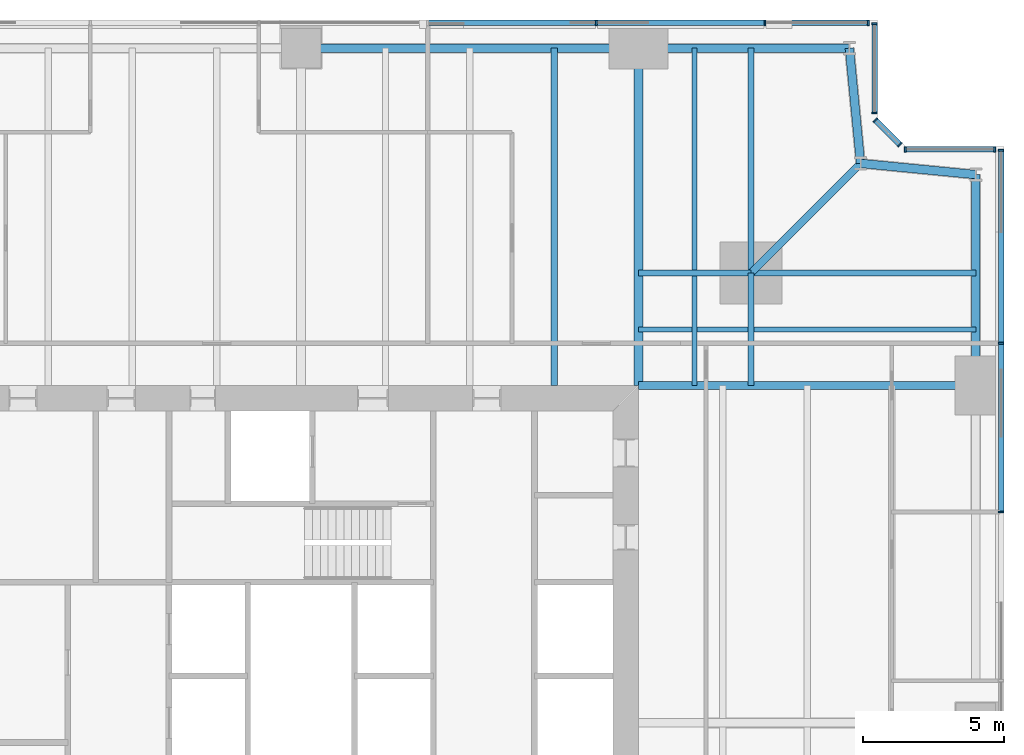
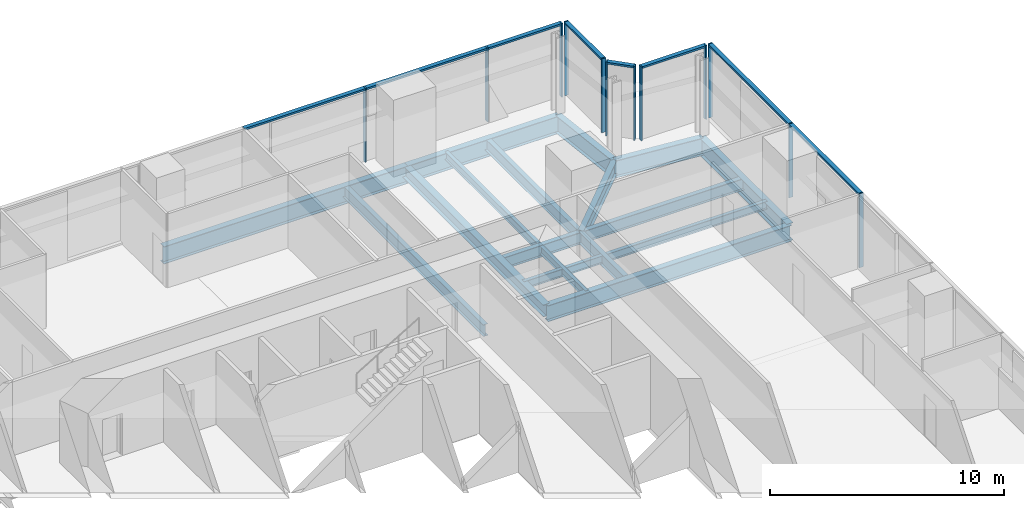
# One storey, part 7 of 14: 20 members, 18 beams, 5 elements without a shape of their own.
"""IFC4 building model written with IfcOpenShell, lengths in metres."""

from ifc_helpers import new_model, si_unit, direction, frame, origin, origin_2d, place, context, subcontext, project, spatial, rectangle, i_section, extrude, material, material_profile, profile_set, type_object, element, aggregate, save


model = new_model("IFC4")

# Units and contexts
model_context = context("Model", 3, precision=1e-05, world=origin(), true_north=direction((0.0, 1.0)))
body_context = subcontext(model_context, "Body", "Model", "MODEL_VIEW")
ifc_project = project(units=[si_unit("LENGTHUNIT", "METRE"), si_unit("AREAUNIT", "SQUARE_METRE"), si_unit("VOLUMEUNIT", "CUBIC_METRE"), si_unit("PLANEANGLEUNIT", "RADIAN"), si_unit("MASSUNIT", "GRAM", prefix="KILO")], contexts=[model_context])

# Site, building, storey
site_placement = place(None, origin())
site = spatial("IfcSite", under=ifc_project, at=site_placement, CompositionType="ELEMENT")
building_placement = place(site_placement, origin())
building = spatial("IfcBuilding", under=site, at=building_placement, Name="Fenwick Lantern Interchange", CompositionType="ELEMENT")
storey_placement = place(building_placement, frame((0.0, 0.0, 122.39990234375)))
storey = spatial("IfcBuildingStorey", under=building, at=storey_placement, Name="L28", CompositionType="ELEMENT", Elevation=122.39990234375)

# Beams
ifc_material_1 = material(Name="Steel ASTM A992 Grade 50", Category="steel")
ifc_material_profile_1 = material_profile(ifc_material_1, i_section(OverallWidth=0.3046875, OverallDepth=0.911865234375, WebThickness=0.015869140625, FlangeThickness=0.02392578125, at=origin_2d()), Name="W36X150")
ifc_profile_set_1 = profile_set([ifc_material_profile_1], Name="Steel ASTM A992 Grade 50")
beam_type_1 = type_object("IfcBeamType", Name="EDGE BEAM W36X150", PredefinedType="SPANDREL", material=ifc_profile_set_1)
beam_1_placement = place(storey_placement, frame((49.0, 37.0, -0.605712890625), z_axis=(0.0, 1.0, 0.0), x_axis=(-1.0, 0.0, 0.0)))
element("IfcBeam", 1, at=beam_1_placement, inside=storey, type_object=beam_type_1, Name="L28/FR/E/EB4", PredefinedType="SPANDREL", context=body_context, shape_type="SweptSolid", body=[
    extrude(i_section(OverallWidth=0.3046875, OverallDepth=0.911865234375, WebThickness=0.015869140625, FlangeThickness=0.02392578125, at=origin_2d()), origin(), (0.0, 0.0, 1.0), 7.5),
])
for number, where, z_axis, x_axis, name in (
    (2, (49.0, 44.5, -0.605712890625), (-0.995277148028, 0.097074191287, 0.0), (-0.097074191287, -0.995277148028, 0.0), "L28/FR/E/EBR1"),
    (3, (44.89990234375, 44.89990234375, -0.605712890625), (-0.097074191287, 0.995277148028, 0.0), (-0.995277148028, -0.097074191287, 0.0), "L28/FR/E/EBR2"),
):
    element("IfcBeam", number, at=place(storey_placement, frame(where, z_axis=z_axis, x_axis=x_axis)), inside=storey, type_object=beam_type_1, Name=name, PredefinedType="SPANDREL", context=body_context, shape_type="SweptSolid", body=[
        extrude(i_section(OverallWidth=0.3046875, OverallDepth=0.911865234375, WebThickness=0.015869140625, FlangeThickness=0.02392578125, at=origin_2d()), origin(), (0.0, 0.0, 1.0), 4.11962890625),
    ])
beam_2_placement = place(storey_placement, frame((44.5, 49.0, -0.605712890625), z_axis=(-1.0, 0.0, 0.0), x_axis=(0.0, -1.0, 0.0)))
element("IfcBeam", 4, at=beam_2_placement, inside=storey, type_object=beam_type_1, Name="L28/FR/N/EB1", PredefinedType="SPANDREL", context=body_context, shape_type="SweptSolid", body=[
    extrude(i_section(OverallWidth=0.3046875, OverallDepth=0.911865234375, WebThickness=0.015869140625, FlangeThickness=0.02392578125, at=origin_2d()), origin(), (0.0, 0.0, 1.0), 7.5),
])
beam_3_placement = place(storey_placement, frame((37.0, 49.0, -0.605712890625), z_axis=(-1.0, 0.0, 0.0), x_axis=(0.0, -1.0, 0.0)))
element("IfcBeam", 5, at=beam_3_placement, inside=storey, type_object=beam_type_1, Name="L28/FR/N/EB2", PredefinedType="SPANDREL", context=body_context, shape_type="SweptSolid", body=[
    extrude(i_section(OverallWidth=0.3046875, OverallDepth=0.911865234375, WebThickness=0.015869140625, FlangeThickness=0.02392578125, at=origin_2d()), origin(), (0.0, 0.0, 1.0), 12.0),
])
ifc_material_profile_2 = material_profile(ifc_material_1, i_section(OverallWidth=0.22900390625, OverallDepth=0.612060546875, WebThickness=0.011962890625, FlangeThickness=0.01953125, at=origin_2d()), Name="W24X84")
ifc_profile_set_2 = profile_set([ifc_material_profile_2], Name="Steel ASTM A992 Grade 50")
beam_type_2 = type_object("IfcBeamType", Name="FLOOR BEAM W24X84", PredefinedType="BEAM", material=ifc_profile_set_2)
beam_4_placement = place(storey_placement, frame((34.0, 49.0, -0.4560546875), z_axis=(0.0, -1.0, 0.0), x_axis=(1.0, 0.0, 0.0)))
element("IfcBeam", 6, at=beam_4_placement, inside=storey, type_object=beam_type_2, Name="L28/FR/N/R02", PredefinedType="BEAM", context=body_context, shape_type="SweptSolid", body=[
    extrude(i_section(OverallWidth=0.22900390625, OverallDepth=0.612060546875, WebThickness=0.011962890625, FlangeThickness=0.01953125, at=origin_2d()), origin(), (0.0, 0.0, 1.0), 12.0),
])
ifc_material_profile_3 = material_profile(ifc_material_1, i_section(OverallWidth=0.177734375, OverallDepth=0.406494140625, WebThickness=0.0078125, FlangeThickness=0.012939453125, at=origin_2d()), Name="W16X40")
ifc_profile_set_3 = profile_set([ifc_material_profile_3], Name="Steel ASTM A992 Grade 50")
beam_type_3 = type_object("IfcBeamType", Name="INFILL BEAM W16X40", PredefinedType="JOIST", material=ifc_profile_set_3)
beam_5_placement = place(storey_placement, frame((39.0, 49.0, -0.35302734375), z_axis=(0.0, -1.0, 0.0), x_axis=(1.0, 0.0, 0.0)))
element("IfcBeam", 7, at=beam_5_placement, inside=storey, type_object=beam_type_3, Name="L28/FR/N/J1", PredefinedType="JOIST", context=body_context, shape_type="SweptSolid", body=[
    extrude(i_section(OverallWidth=0.177734375, OverallDepth=0.406494140625, WebThickness=0.0078125, FlangeThickness=0.012939453125, at=origin_2d()), origin(), (0.0, 0.0, 1.0), 7.885498046875),
])
beam_6_placement = place(storey_placement, frame((39.0, 40.885498046875, -0.35302734375), z_axis=(0.0, -1.0, 0.0), x_axis=(1.0, 0.0, 0.0)))
element("IfcBeam", 8, at=beam_6_placement, inside=storey, type_object=beam_type_3, Name="L28/FR/N/J2", PredefinedType="JOIST", context=body_context, shape_type="SweptSolid", body=[
    extrude(i_section(OverallWidth=0.177734375, OverallDepth=0.406494140625, WebThickness=0.0078125, FlangeThickness=0.012939453125, at=origin_2d()), origin(), (0.0, 0.0, 1.0), 3.885498046875),
])
beam_7_placement = place(storey_placement, frame((49.0, 39.0, -0.35302734375), z_axis=(-1.0, 0.0, 0.0), x_axis=(0.0, -1.0, 0.0)))
element("IfcBeam", 9, at=beam_7_placement, inside=storey, type_object=beam_type_3, Name="L28/FR/N/J3", PredefinedType="JOIST", context=body_context, shape_type="SweptSolid", body=[
    extrude(i_section(OverallWidth=0.177734375, OverallDepth=0.406494140625, WebThickness=0.0078125, FlangeThickness=0.012939453125, at=origin_2d()), origin(), (0.0, 0.0, 1.0), 7.885498046875),
])
beam_8_placement = place(storey_placement, frame((40.885498046875, 39.0, -0.35302734375), z_axis=(-1.0, 0.0, 0.0), x_axis=(0.0, -1.0, 0.0)))
element("IfcBeam", 10, at=beam_8_placement, inside=storey, type_object=beam_type_3, Name="L28/FR/N/J4", PredefinedType="JOIST", context=body_context, shape_type="SweptSolid", body=[
    extrude(i_section(OverallWidth=0.177734375, OverallDepth=0.406494140625, WebThickness=0.0078125, FlangeThickness=0.012939453125, at=origin_2d()), origin(), (0.0, 0.0, 1.0), 1.796630859375),
])
beam_9_placement = place(storey_placement, frame((38.9111328125, 39.0, -0.35302734375), z_axis=(-1.0, 0.0, 0.0), x_axis=(0.0, -1.0, 0.0)))
element("IfcBeam", 11, at=beam_9_placement, inside=storey, type_object=beam_type_3, Name="L28/FR/N/J5", PredefinedType="JOIST", context=body_context, shape_type="SweptSolid", body=[
    extrude(i_section(OverallWidth=0.177734375, OverallDepth=0.406494140625, WebThickness=0.0078125, FlangeThickness=0.012939453125, at=origin_2d()), origin(), (0.0, 0.0, 1.0), 1.9111328125),
])
ifc_material_profile_4 = material_profile(ifc_material_1, i_section(OverallWidth=0.22900390625, OverallDepth=0.612060546875, WebThickness=0.011962890625, FlangeThickness=0.01953125, at=origin_2d()), Name="W24X84")
ifc_profile_set_4 = profile_set([ifc_material_profile_4], Name="Steel ASTM A992 Grade 50")
beam_type_4 = type_object("IfcBeamType", Name="MEGA COLUMN BEAM W24X84", PredefinedType="BEAM", material=ifc_profile_set_4)
for number, where, z_axis, x_axis, name in (
    (12, (41.0, 41.0, -0.4560546875), (0.0, 1.0, 0.0), (-1.0, 0.0, 0.0), "L28/FR/N/MB1"),
    (13, (41.0, 41.0, -0.4560546875), (1.0, 0.0, 0.0), (0.0, 1.0, 0.0), "L28/FR/N/MB2"),
):
    element("IfcBeam", number, at=place(storey_placement, frame(where, z_axis=z_axis, x_axis=x_axis)), inside=storey, type_object=beam_type_4, Name=name, PredefinedType="BEAM", context=body_context, shape_type="SweptSolid", body=[
        extrude(i_section(OverallWidth=0.22900390625, OverallDepth=0.612060546875, WebThickness=0.011962890625, FlangeThickness=0.01953125, at=origin_2d()), origin(), (0.0, 0.0, 1.0), 8.0),
    ])
for number, where, z_axis, x_axis, name in (
    (14, (41.0, 41.0, -0.4560546875), (-1.0, 0.0, 0.0), (0.0, -1.0, 0.0), "L28/FR/N/MB3"),
    (15, (41.0, 41.0, -0.4560546875), (0.0, -1.0, 0.0), (1.0, 0.0, 0.0), "L28/FR/N/MB4"),
):
    element("IfcBeam", number, at=place(storey_placement, frame(where, z_axis=z_axis, x_axis=x_axis)), inside=storey, type_object=beam_type_4, Name=name, PredefinedType="BEAM", context=body_context, shape_type="SweptSolid", body=[
        extrude(i_section(OverallWidth=0.22900390625, OverallDepth=0.612060546875, WebThickness=0.011962890625, FlangeThickness=0.01953125, at=origin_2d()), origin(), (0.0, 0.0, 1.0), 4.0),
    ])
ifc_material_profile_5 = material_profile(ifc_material_1, i_section(OverallWidth=0.32763671875, OverallDepth=0.622314453125, WebThickness=0.015380859375, FlangeThickness=0.0244140625, at=origin_2d()), Name="W24X131")
ifc_profile_set_5 = profile_set([ifc_material_profile_5], Name="Steel ASTM A992 Grade 50")
beam_type_5 = type_object("IfcBeamType", Name="MOMENT-CONNECTED GIRDER W24X131", PredefinedType="BEAM", material=ifc_profile_set_5)
beam_10_placement = place(storey_placement, frame((37.0, 49.0, -0.4609375), z_axis=(0.0, -1.0, 0.0), x_axis=(1.0, 0.0, 0.0)))
element("IfcBeam", 16, at=beam_10_placement, inside=storey, type_object=beam_type_5, Name="L28/FR/N/R01", PredefinedType="BEAM", context=body_context, shape_type="SweptSolid", body=[
    extrude(i_section(OverallWidth=0.32763671875, OverallDepth=0.622314453125, WebThickness=0.015380859375, FlangeThickness=0.0244140625, at=origin_2d()), origin(), (0.0, 0.0, 1.0), 12.0),
])
ifc_material_profile_6 = material_profile(ifc_material_1, i_section(OverallWidth=0.2919921875, OverallDepth=0.845703125, WebThickness=0.015380859375, FlangeThickness=0.0244140625, at=origin_2d()), Name="W33X141")
ifc_profile_set_6 = profile_set([ifc_material_profile_6], Name="Steel ASTM A992 Grade 50")
beam_type_6 = type_object("IfcBeamType", Name="MOMENT-CONNECTED GIRDER W33X141", PredefinedType="BEAM", material=ifc_profile_set_6)
beam_11_placement = place(storey_placement, frame((49.0, 37.0, -0.57275390625), z_axis=(-1.0, 0.0, 0.0), x_axis=(0.0, -1.0, 0.0)))
element("IfcBeam", 17, at=beam_11_placement, inside=storey, type_object=beam_type_6, Name="L28/FR/E/R03", PredefinedType="BEAM", context=body_context, shape_type="SweptSolid", body=[
    extrude(i_section(OverallWidth=0.2919921875, OverallDepth=0.845703125, WebThickness=0.015380859375, FlangeThickness=0.0244140625, at=origin_2d()), origin(), (0.0, 0.0, 1.0), 12.0),
])
ifc_material_profile_7 = material_profile(ifc_material_1, i_section(OverallWidth=0.2666015625, OverallDepth=0.7568359375, WebThickness=0.013916015625, FlangeThickness=0.019287109375, at=origin_2d()), Name="W30X108")
ifc_profile_set_7 = profile_set([ifc_material_profile_7], Name="Steel ASTM A992 Grade 50")
beam_type_7 = type_object("IfcBeamType", Name="NOTCH BEAM W30X108", PredefinedType="BEAM", material=ifc_profile_set_7)
beam_12_placement = place(storey_placement, frame((41.0, 41.0, -0.5283203125), z_axis=(0.707106781187, 0.707106781187, 0.0), x_axis=(-0.707106781187, 0.707106781187, 0.0)))
element("IfcBeam", 18, at=beam_12_placement, inside=storey, type_object=beam_type_7, Name="L28/FR/N/TG", PredefinedType="BEAM", context=body_context, shape_type="SweptSolid", body=[
    extrude(i_section(OverallWidth=0.2666015625, OverallDepth=0.7568359375, WebThickness=0.013916015625, FlangeThickness=0.019287109375, at=origin_2d()), origin(), (0.0, 0.0, 1.0), 5.515380859375),
])

# Curtain wall, members
ifc_material_2 = material(Name="Aluminium curtain wall frame", Category="aluminium")
curtain_wall_type = type_object("IfcCurtainWallType", Name="OFFICE CURTAIN WALL", PredefinedType="USERDEFINED", material=ifc_material_2)
curtain_wall_1_placement = place(storey_placement, origin())
curtain_wall_1 = element("IfcCurtainWall", 19, at=curtain_wall_1_placement, inside=storey, type_object=curtain_wall_type, Name="Office curtain wall 05", ObjectType="OFFICE CURTAIN WALL", PredefinedType="USERDEFINED")
ifc_material_3 = material(Name="Aluminium extrusion", Category="aluminium")
ifc_material_profile_8 = material_profile(ifc_material_3, rectangle(XDim=0.199951171875, YDim=0.06494140625, at=origin_2d()), Name="OFFICE CURTAIN WALL MULLION 65 X 200")
ifc_profile_set_8 = profile_set([ifc_material_profile_8], Name="Aluminium extrusion")
member_type_1 = type_object("IfcMemberType", Name="OFFICE CURTAIN WALL MULLION 65 X 200", PredefinedType="MULLION", material=ifc_profile_set_8)
member_1_placement = place(storey_placement, frame((49.89990234375, 32.5, 0.0), z_axis=(0.0, 0.0, 1.0), x_axis=(-1.0, 0.0, 0.0)))
member_1 = element("IfcMember", 20, at=member_1_placement, type_object=member_type_1, Name="L28/CW/05/M05", PredefinedType="MULLION", context=body_context, shape_type="SweptSolid", body=[
    extrude(rectangle(XDim=0.199951171875, YDim=0.06494140625, at=origin_2d()), origin(), (0.0, 0.0, 1.0), 3.85009765625),
])
member_2_placement = place(storey_placement, frame((49.89990234375, 38.5, 0.0), z_axis=(0.0, 0.0, 1.0), x_axis=(-1.0, 0.0, 0.0)))
member_2 = element("IfcMember", 21, at=member_2_placement, type_object=member_type_1, Name="L28/CW/05/M06", PredefinedType="MULLION", context=body_context, shape_type="SweptSolid", body=[
    extrude(rectangle(XDim=0.199951171875, YDim=0.06494140625, at=origin_2d()), origin(), (0.0, 0.0, 1.0), 3.85009765625),
])
member_3_placement = place(storey_placement, frame((49.89990234375, 45.367431640625, 0.0), z_axis=(0.0, 0.0, 1.0), x_axis=(-1.0, 0.0, 0.0)))
member_3 = element("IfcMember", 22, at=member_3_placement, type_object=member_type_1, Name="L28/CW/05/M07", PredefinedType="MULLION", context=body_context, shape_type="SweptSolid", body=[
    extrude(rectangle(XDim=0.199951171875, YDim=0.06494140625, at=origin_2d()), origin(), (0.0, 0.0, 1.0), 3.85009765625),
])

curtain_wall_2_placement = place(storey_placement, origin())
curtain_wall_2 = element("IfcCurtainWall", 23, at=curtain_wall_2_placement, inside=storey, type_object=curtain_wall_type, Name="Office curtain wall 06", ObjectType="OFFICE CURTAIN WALL", PredefinedType="USERDEFINED")
member_4_placement = place(storey_placement, frame((49.66748046875, 45.39990234375, 0.0), z_axis=(0.0, 0.0, 1.0), x_axis=(0.0, -1.0, 0.0)))
member_4 = element("IfcMember", 24, at=member_4_placement, type_object=member_type_1, Name="L28/CW/06/M00", PredefinedType="MULLION", context=body_context, shape_type="SweptSolid", body=[
    extrude(rectangle(XDim=0.199951171875, YDim=0.06494140625, at=origin_2d()), origin(), (0.0, 0.0, 1.0), 3.85009765625),
])
member_5_placement = place(storey_placement, frame((46.490966796875, 45.39990234375, 0.0), z_axis=(0.0, 0.0, 1.0), x_axis=(0.0, -1.0, 0.0)))
member_5 = element("IfcMember", 25, at=member_5_placement, type_object=member_type_1, Name="L28/CW/06/M01", PredefinedType="MULLION", context=body_context, shape_type="SweptSolid", body=[
    extrude(rectangle(XDim=0.199951171875, YDim=0.06494140625, at=origin_2d()), origin(), (0.0, 0.0, 1.0), 3.85009765625),
])

curtain_wall_3_placement = place(storey_placement, origin())
curtain_wall_3 = element("IfcCurtainWall", 26, at=curtain_wall_3_placement, inside=storey, type_object=curtain_wall_type, Name="Office curtain wall 07", ObjectType="OFFICE CURTAIN WALL", PredefinedType="USERDEFINED")
member_6_placement = place(storey_placement, frame((46.294189453125, 45.564453125, 0.0), z_axis=(0.0, 0.0, 1.0), x_axis=(-0.707106781187, -0.707106781187, 0.0)))
member_6 = element("IfcMember", 27, at=member_6_placement, type_object=member_type_1, Name="L28/CW/07/M00", PredefinedType="MULLION", context=body_context, shape_type="SweptSolid", body=[
    extrude(rectangle(XDim=0.199951171875, YDim=0.06494140625, at=origin_2d()), origin(), (0.0, 0.0, 1.0), 3.85009765625),
])
member_7_placement = place(storey_placement, frame((45.423095703125, 46.435546875, 0.0), z_axis=(0.0, 0.0, 1.0), x_axis=(-0.707106781187, -0.707106781187, 0.0)))
member_7 = element("IfcMember", 28, at=member_7_placement, type_object=member_type_1, Name="L28/CW/07/M01", PredefinedType="MULLION", context=body_context, shape_type="SweptSolid", body=[
    extrude(rectangle(XDim=0.199951171875, YDim=0.06494140625, at=origin_2d()), origin(), (0.0, 0.0, 1.0), 3.85009765625),
])

curtain_wall_4_placement = place(storey_placement, origin())
curtain_wall_4 = element("IfcCurtainWall", 29, at=curtain_wall_4_placement, inside=storey, type_object=curtain_wall_type, Name="Office curtain wall 08", ObjectType="OFFICE CURTAIN WALL", PredefinedType="USERDEFINED")
member_8_placement = place(storey_placement, frame((45.39990234375, 46.691162109375, 0.0), z_axis=(0.0, 0.0, 1.0), x_axis=(-1.0, 0.0, 0.0)))
member_8 = element("IfcMember", 30, at=member_8_placement, type_object=member_type_1, Name="L28/CW/08/M00", PredefinedType="MULLION", context=body_context, shape_type="SweptSolid", body=[
    extrude(rectangle(XDim=0.199951171875, YDim=0.06494140625, at=origin_2d()), origin(), (0.0, 0.0, 1.0), 3.85009765625),
])
member_9_placement = place(storey_placement, frame((45.39990234375, 49.867431640625, 0.0), z_axis=(0.0, 0.0, 1.0), x_axis=(-1.0, 0.0, 0.0)))
member_9 = element("IfcMember", 31, at=member_9_placement, type_object=member_type_1, Name="L28/CW/08/M01", PredefinedType="MULLION", context=body_context, shape_type="SweptSolid", body=[
    extrude(rectangle(XDim=0.199951171875, YDim=0.06494140625, at=origin_2d()), origin(), (0.0, 0.0, 1.0), 3.85009765625),
])

curtain_wall_5_placement = place(storey_placement, origin())
curtain_wall_5 = element("IfcCurtainWall", 32, at=curtain_wall_5_placement, inside=storey, type_object=curtain_wall_type, Name="Office curtain wall 09", ObjectType="OFFICE CURTAIN WALL", PredefinedType="USERDEFINED")
member_10_placement = place(storey_placement, frame((45.16748046875, 49.89990234375, 0.0), z_axis=(0.0, 0.0, 1.0), x_axis=(0.0, -1.0, 0.0)))
member_10 = element("IfcMember", 33, at=member_10_placement, type_object=member_type_1, Name="L28/CW/09/M00", PredefinedType="MULLION", context=body_context, shape_type="SweptSolid", body=[
    extrude(rectangle(XDim=0.199951171875, YDim=0.06494140625, at=origin_2d()), origin(), (0.0, 0.0, 1.0), 3.85009765625),
])
member_11_placement = place(storey_placement, frame((41.5, 49.89990234375, 0.0), z_axis=(0.0, 0.0, 1.0), x_axis=(0.0, -1.0, 0.0)))
member_11 = element("IfcMember", 34, at=member_11_placement, type_object=member_type_1, Name="L28/CW/09/M01", PredefinedType="MULLION", context=body_context, shape_type="SweptSolid", body=[
    extrude(rectangle(XDim=0.199951171875, YDim=0.06494140625, at=origin_2d()), origin(), (0.0, 0.0, 1.0), 3.85009765625),
])
member_12_placement = place(storey_placement, frame((35.5, 49.89990234375, 0.0), z_axis=(0.0, 0.0, 1.0), x_axis=(0.0, -1.0, 0.0)))
member_12 = element("IfcMember", 35, at=member_12_placement, type_object=member_type_1, Name="L28/CW/09/M02", PredefinedType="MULLION", context=body_context, shape_type="SweptSolid", body=[
    extrude(rectangle(XDim=0.199951171875, YDim=0.06494140625, at=origin_2d()), origin(), (0.0, 0.0, 1.0), 3.85009765625),
])

# Member
ifc_material_profile_9 = material_profile(ifc_material_3, rectangle(XDim=0.199951171875, YDim=0.10009765625, at=origin_2d()), Name="OFFICE CURTAIN WALL TRANSOM 100 X 200")
ifc_profile_set_9 = profile_set([ifc_material_profile_9], Name="Aluminium extrusion")
member_type_2 = type_object("IfcMemberType", Name="OFFICE CURTAIN WALL TRANSOM 100 X 200", PredefinedType="MULLION", material=ifc_profile_set_9)
member_13_placement = place(storey_placement, frame((49.89990234375, 32.532470703125, 3.800048828125), z_axis=(0.0, 1.0, 0.0), x_axis=(-1.0, 0.0, 0.0)))
member_13 = element("IfcMember", 36, at=member_13_placement, type_object=member_type_2, Name="L28/CW/05/T05", PredefinedType="MULLION", context=body_context, shape_type="SweptSolid", body=[
    extrude(rectangle(XDim=0.199951171875, YDim=0.10009765625, at=origin_2d()), origin(), (0.0, 0.0, 1.0), 5.93505859375),
])

member_14_placement = place(storey_placement, frame((49.89990234375, 38.532470703125, 3.800048828125), z_axis=(0.0, 1.0, 0.0), x_axis=(-1.0, 0.0, 0.0)))
member_14 = element("IfcMember", 37, at=member_14_placement, type_object=member_type_2, Name="L28/CW/05/T06", PredefinedType="MULLION", context=body_context, shape_type="SweptSolid", body=[
    extrude(rectangle(XDim=0.199951171875, YDim=0.10009765625, at=origin_2d()), origin(), (0.0, 0.0, 1.0), 6.802490234375),
])

aggregate(curtain_wall_1, [member_1, member_2, member_3, member_13, member_14])

member_15_placement = place(storey_placement, frame((49.635009765625, 45.39990234375, 3.800048828125), z_axis=(-1.0, 0.0, 0.0), x_axis=(0.0, -1.0, 0.0)))
member_15 = element("IfcMember", 38, at=member_15_placement, type_object=member_type_2, Name="L28/CW/06/T00", PredefinedType="MULLION", context=body_context, shape_type="SweptSolid", body=[
    extrude(rectangle(XDim=0.199951171875, YDim=0.10009765625, at=origin_2d()), origin(), (0.0, 0.0, 1.0), 3.111328125),
])

aggregate(curtain_wall_2, [member_4, member_5, member_15])

member_16_placement = place(storey_placement, frame((46.271240234375, 45.58740234375, 3.800048828125), z_axis=(-0.707106781187, 0.707106781187, 0.0), x_axis=(-0.707106781187, -0.707106781187, 0.0)))
member_16 = element("IfcMember", 39, at=member_16_placement, type_object=member_type_2, Name="L28/CW/07/T00", PredefinedType="MULLION", context=body_context, shape_type="SweptSolid", body=[
    extrude(rectangle(XDim=0.199951171875, YDim=0.10009765625, at=origin_2d()), origin(), (0.0, 0.0, 1.0), 1.1669921875),
])

aggregate(curtain_wall_3, [member_6, member_7, member_16])

member_17_placement = place(storey_placement, frame((45.39990234375, 46.7236328125, 3.800048828125), z_axis=(0.0, 1.0, 0.0), x_axis=(-1.0, 0.0, 0.0)))
member_17 = element("IfcMember", 40, at=member_17_placement, type_object=member_type_2, Name="L28/CW/08/T00", PredefinedType="MULLION", context=body_context, shape_type="SweptSolid", body=[
    extrude(rectangle(XDim=0.199951171875, YDim=0.10009765625, at=origin_2d()), origin(), (0.0, 0.0, 1.0), 3.111328125),
])

aggregate(curtain_wall_4, [member_8, member_9, member_17])

member_18_placement = place(storey_placement, frame((45.135009765625, 49.89990234375, 3.800048828125), z_axis=(-1.0, 0.0, 0.0), x_axis=(0.0, -1.0, 0.0)))
member_18 = element("IfcMember", 41, at=member_18_placement, type_object=member_type_2, Name="L28/CW/09/T00", PredefinedType="MULLION", context=body_context, shape_type="SweptSolid", body=[
    extrude(rectangle(XDim=0.199951171875, YDim=0.10009765625, at=origin_2d()), origin(), (0.0, 0.0, 1.0), 3.6025390625),
])

member_19_placement = place(storey_placement, frame((41.467529296875, 49.89990234375, 3.800048828125), z_axis=(-1.0, 0.0, 0.0), x_axis=(0.0, -1.0, 0.0)))
member_19 = element("IfcMember", 42, at=member_19_placement, type_object=member_type_2, Name="L28/CW/09/T01", PredefinedType="MULLION", context=body_context, shape_type="SweptSolid", body=[
    extrude(rectangle(XDim=0.199951171875, YDim=0.10009765625, at=origin_2d()), origin(), (0.0, 0.0, 1.0), 5.93505859375),
])

member_20_placement = place(storey_placement, frame((35.467529296875, 49.89990234375, 3.800048828125), z_axis=(-1.0, 0.0, 0.0), x_axis=(0.0, -1.0, 0.0)))
member_20 = element("IfcMember", 43, at=member_20_placement, type_object=member_type_2, Name="L28/CW/09/T02", PredefinedType="MULLION", context=body_context, shape_type="SweptSolid", body=[
    extrude(rectangle(XDim=0.199951171875, YDim=0.10009765625, at=origin_2d()), origin(), (0.0, 0.0, 1.0), 5.93505859375),
])

aggregate(curtain_wall_5, [member_10, member_11, member_12, member_18, member_19, member_20])

save(model, "model.ifc")
